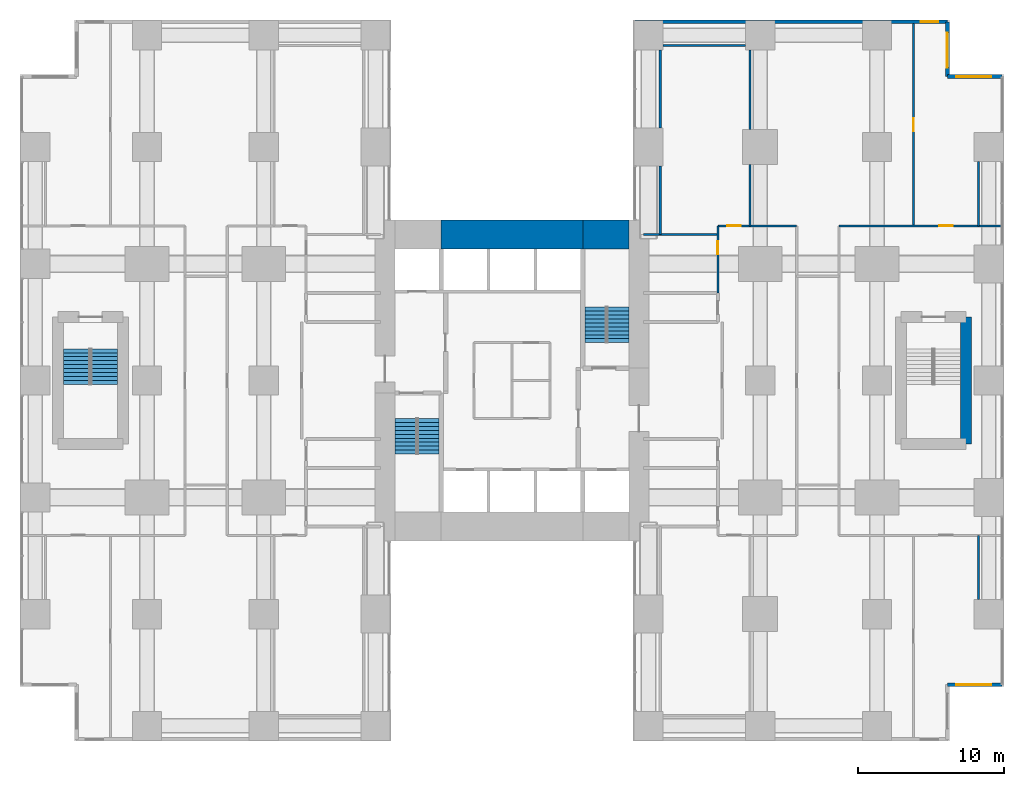
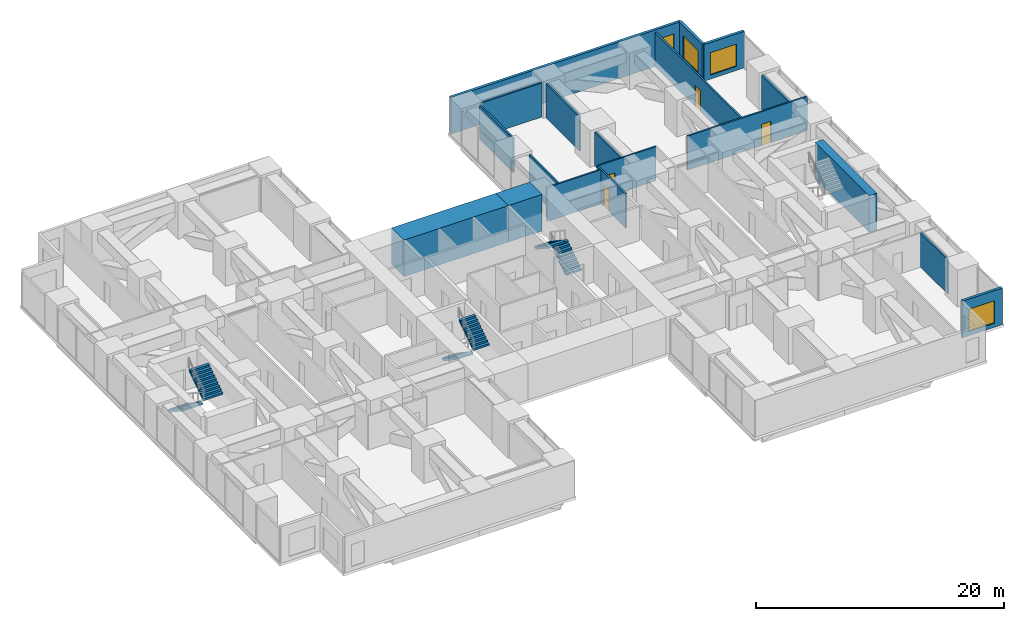
# One storey, part 13 of 15: 19 walls, 6 stair flights, 4 doors, 4 windows, 8 openings, 3 elements without a shape of their own.
"""IFC4 building model written with IfcOpenShell, lengths in metres."""

from ifc_helpers import new_model, si_unit, direction, frame, frame_2d, origin, place, context, subcontext, project, spatial, polyline, rectangle, outline, extrude, material, layer, layer_set, type_object, element, fill, aggregate, save


model = new_model("IFC4")

# Units and contexts
model_context = context("Model", 3, precision=1e-05, world=origin(), true_north=direction((0.0, 1.0)))
body_context = subcontext(model_context, "Body", "Model", "MODEL_VIEW")
ifc_project = project(units=[si_unit("LENGTHUNIT", "METRE"), si_unit("AREAUNIT", "SQUARE_METRE"), si_unit("VOLUMEUNIT", "CUBIC_METRE"), si_unit("PLANEANGLEUNIT", "RADIAN"), si_unit("MASSUNIT", "GRAM", prefix="KILO")], contexts=[model_context])

# Site, building, storey
site_placement = place(None, origin())
site = spatial("IfcSite", under=ifc_project, at=site_placement, CompositionType="ELEMENT")
building_placement = place(site_placement, origin())
building = spatial("IfcBuilding", under=site, at=building_placement, Name="Cleftline Residences", CompositionType="ELEMENT")
storey_placement = place(building_placement, frame((0.0, 0.0, 132.199951171875)))
storey = spatial("IfcBuildingStorey", under=building, at=storey_placement, Name="L34", CompositionType="ELEMENT", Elevation=132.199951171875)

# Walls
ifc_material_1 = material(Name="Concrete B70", Category="concrete")
ifc_layer_1 = layer(ifc_material_1, 2.0)
ifc_layer_set_1 = layer_set([ifc_layer_1], Name="CORE WALL 2000")
wall_type_1 = type_object("IfcWallType", Name="CORE WALL 2000", PredefinedType="SHEAR", material=ifc_layer_set_1)
wall_1_placement = place(storey_placement, frame((28.14990234375, 34.0, 0.0), z_axis=(0.0, 0.0, 1.0), x_axis=(1.0, 0.0, 0.0)))
element("IfcWall", 1, at=wall_1_placement, inside=storey, type_object=wall_type_1, Name="Core wall N2", PredefinedType="SHEAR", context=body_context, shape_type="SweptSolid", body=[
    extrude(rectangle(XDim=9.7001953125, YDim=2.0, at=frame_2d((4.85009765625, 0.0))), origin(), (0.0, 0.0, 1.0), 3.60009765625),
])
wall_2_placement = place(storey_placement, frame((37.85009765625, 34.0, 0.0), z_axis=(0.0, 0.0, 1.0), x_axis=(1.0, 0.0, 0.0)))
element("IfcWall", 2, at=wall_2_placement, inside=storey, type_object=wall_type_1, Name="Core wall N3", PredefinedType="SHEAR", context=body_context, shape_type="SweptSolid", body=[
    extrude(rectangle(XDim=3.14990234375, YDim=2.0, at=frame_2d((1.574951171875, 0.0))), origin(), (0.0, 0.0, 1.0), 3.60009765625),
])

# Wall, opening, window
ifc_material_2 = material(Name="Rendered reinforced concrete blockwork", Category="masonry")
ifc_layer_2 = layer(ifc_material_2, 0.25)
ifc_layer_set_2 = layer_set([ifc_layer_2], Name="EXTERNAL WALL 250")
wall_type_2 = type_object("IfcWallType", Name="EXTERNAL WALL 250", PredefinedType="SOLIDWALL", material=ifc_layer_set_2)
wall_3_placement = place(storey_placement, frame((62.824951171875, 3.175048828125, 0.0), z_axis=(0.0, 0.0, 1.0), x_axis=(1.0, 0.0, 0.0)))
wall_3 = element("IfcWall", 3, at=wall_3_placement, inside=storey, type_object=wall_type_2, Name="External wall", PredefinedType="SOLIDWALL", context=body_context, shape_type="SweptSolid", body=[
    extrude(rectangle(XDim=3.75, YDim=0.25, at=frame_2d((1.875, 0.0))), origin(), (0.0, 0.0, 1.0), 3.60009765625),
])
opening_1_placement = place(wall_3_placement, frame((0.612548828125, 0.0, 0.39990234375)))
opening_1 = element("IfcOpeningElement", 4, at=opening_1_placement, cuts=wall_3, Name="Opening W12", PredefinedType="OPENING", context=body_context, shape_type="SweptSolid", body=[
    extrude(rectangle(XDim=2.39990234375, YDim=2.199951171875, at=frame_2d((1.199951171875, 1.10009765625))), frame((0.0, 0.135009765625, 0.0), z_axis=(0.0, -1.0, 0.0), x_axis=(1.0, 0.0, 0.0)), (0.0, 0.0, 1.0), 0.27001953125),
])
ifc_material_3 = material(Name="Aluminium frame, clear double glazing", Category="aluminium")
window_type_1 = type_object("IfcWindowType", Name="WINDOW 2400X2200", PartitioningType="DOUBLE_PANEL_VERTICAL", PredefinedType="WINDOW", material=ifc_material_3)
window_1_placement = place(opening_1_placement, origin())
window_1 = element("IfcWindow", 5, at=window_1_placement, inside=storey, type_object=window_type_1, Name="Window", OverallHeight=2.199951171875, OverallWidth=2.39990234375, PartitioningType="SINGLE_PANEL", PredefinedType="WINDOW", context=body_context, shape_type="SweptSolid", body=[
    extrude(rectangle(XDim=2.39990234375, YDim=2.199951171875, at=frame_2d((1.199951171875, 1.10009765625))), frame((0.0, 0.030029296875, 0.0), z_axis=(0.0, -1.0, 0.0), x_axis=(1.0, 0.0, 0.0)), (0.0, 0.0, 1.0), 0.06005859375),
])
fill(opening_1, window_1)

wall_4_placement = place(storey_placement, frame((66.574951171875, 44.824951171875, 0.0), z_axis=(0.0, 0.0, 1.0), x_axis=(-1.0, 0.0, 0.0)))
wall_4 = element("IfcWall", 6, at=wall_4_placement, inside=storey, type_object=wall_type_2, Name="External wall", PredefinedType="SOLIDWALL", context=body_context, shape_type="SweptSolid", body=[
    extrude(rectangle(XDim=3.75, YDim=0.25, at=frame_2d((1.875, 0.0))), origin(), (0.0, 0.0, 1.0), 3.60009765625),
])
opening_2_placement = place(wall_4_placement, frame((0.737548828125, 0.0, 0.39990234375)))
opening_2 = element("IfcOpeningElement", 7, at=opening_2_placement, cuts=wall_4, Name="Opening W12", PredefinedType="OPENING", context=body_context, shape_type="SweptSolid", body=[
    extrude(rectangle(XDim=2.39990234375, YDim=2.199951171875, at=frame_2d((1.199951171875, 1.10009765625))), frame((0.0, 0.135009765625, 0.0), z_axis=(0.0, -1.0, 0.0), x_axis=(1.0, 0.0, 0.0)), (0.0, 0.0, 1.0), 0.27001953125),
])
window_2_placement = place(opening_2_placement, origin())
window_2 = element("IfcWindow", 8, at=window_2_placement, inside=storey, type_object=window_type_1, Name="Window", OverallHeight=2.199951171875, OverallWidth=2.39990234375, PartitioningType="SINGLE_PANEL", PredefinedType="WINDOW", context=body_context, shape_type="SweptSolid", body=[
    extrude(rectangle(XDim=2.39990234375, YDim=2.199951171875, at=frame_2d((1.199951171875, 1.10009765625))), frame((0.0, 0.030029296875, 0.0), z_axis=(0.0, -1.0, 0.0), x_axis=(1.0, 0.0, 0.0)), (0.0, 0.0, 1.0), 0.06005859375),
])
fill(opening_2, window_2)

wall_5_placement = place(storey_placement, frame((62.824951171875, 44.824951171875, 0.0), z_axis=(0.0, 0.0, 1.0), x_axis=(0.0, 1.0, 0.0)))
wall_5 = element("IfcWall", 9, at=wall_5_placement, inside=storey, type_object=wall_type_2, Name="External wall", PredefinedType="SOLIDWALL", context=body_context, shape_type="SweptSolid", body=[
    extrude(rectangle(XDim=3.75, YDim=0.25, at=frame_2d((1.875, 0.0))), origin(), (0.0, 0.0, 1.0), 3.60009765625),
])
opening_3_placement = place(wall_5_placement, frame((0.612548828125, 0.0, 0.39990234375)))
opening_3 = element("IfcOpeningElement", 10, at=opening_3_placement, cuts=wall_5, Name="Opening W12", PredefinedType="OPENING", context=body_context, shape_type="SweptSolid", body=[
    extrude(rectangle(XDim=2.39990234375, YDim=2.199951171875, at=frame_2d((1.199951171875, 1.10009765625))), frame((0.0, 0.135009765625, 0.0), z_axis=(0.0, -1.0, 0.0), x_axis=(1.0, 0.0, 0.0)), (0.0, 0.0, 1.0), 0.27001953125),
])
window_3_placement = place(opening_3_placement, origin())
window_3 = element("IfcWindow", 11, at=window_3_placement, inside=storey, type_object=window_type_1, Name="Window", OverallHeight=2.199951171875, OverallWidth=2.39990234375, PartitioningType="SINGLE_PANEL", PredefinedType="WINDOW", context=body_context, shape_type="SweptSolid", body=[
    extrude(rectangle(XDim=2.39990234375, YDim=2.199951171875, at=frame_2d((1.199951171875, 1.10009765625))), frame((0.0, 0.030029296875, 0.0), z_axis=(0.0, -1.0, 0.0), x_axis=(1.0, 0.0, 0.0)), (0.0, 0.0, 1.0), 0.06005859375),
])
fill(opening_3, window_3)

wall_6_placement = place(storey_placement, frame((62.824951171875, 48.574951171875, 0.0), z_axis=(0.0, 0.0, 1.0), x_axis=(-1.0, 0.0, 0.0)))
wall_6 = element("IfcWall", 12, at=wall_6_placement, inside=storey, type_object=wall_type_2, Name="External wall", PredefinedType="SOLIDWALL", context=body_context, shape_type="SweptSolid", body=[
    extrude(rectangle(XDim=21.39990234375, YDim=0.25, at=frame_2d((10.699951171875, 0.0))), origin(), (0.0, 0.0, 1.0), 3.60009765625),
])
opening_4_placement = place(wall_6_placement, frame((0.625, 0.0, 0.39990234375)))
opening_4 = element("IfcOpeningElement", 13, at=opening_4_placement, cuts=wall_6, Name="Opening W11", PredefinedType="OPENING", context=body_context, shape_type="SweptSolid", body=[
    extrude(rectangle(XDim=1.199951171875, YDim=2.199951171875, at=frame_2d((0.60009765625, 1.10009765625))), frame((0.0, 0.135009765625, 0.0), z_axis=(0.0, -1.0, 0.0), x_axis=(1.0, 0.0, 0.0)), (0.0, 0.0, 1.0), 0.27001953125),
])
ifc_material_4 = material(Name="Aluminium frame, clear double glazing", Category="aluminium")
window_type_2 = type_object("IfcWindowType", Name="WINDOW 1200X2200", PartitioningType="DOUBLE_PANEL_VERTICAL", PredefinedType="WINDOW", material=ifc_material_4)
window_4_placement = place(opening_4_placement, origin())
window_4 = element("IfcWindow", 14, at=window_4_placement, inside=storey, type_object=window_type_2, Name="Window", OverallHeight=2.199951171875, OverallWidth=1.199951171875, PartitioningType="SINGLE_PANEL", PredefinedType="WINDOW", context=body_context, shape_type="SweptSolid", body=[
    extrude(rectangle(XDim=1.199951171875, YDim=2.199951171875, at=frame_2d((0.60009765625, 1.10009765625))), frame((0.0, 0.030029296875, 0.0), z_axis=(0.0, -1.0, 0.0), x_axis=(1.0, 0.0, 0.0)), (0.0, 0.0, 1.0), 0.06005859375),
])
fill(opening_4, window_4)

# Wall
ifc_material_5 = material(Name="Gypsum board on steel studs", Category="steel")
ifc_layer_3 = layer(ifc_material_5, 0.14990234375)
ifc_layer_set_3 = layer_set([ifc_layer_3], Name="PARTITION 150")
wall_type_3 = type_object("IfcWallType", Name="PARTITION 150", PredefinedType="PARTITIONING", material=ifc_layer_set_3)
wall_7_placement = place(storey_placement, frame((42.0, 34.0, 0.0), z_axis=(0.0, 0.0, 1.0), x_axis=(1.0, 0.0, 0.0)))
element("IfcWall", 15, at=wall_7_placement, inside=storey, type_object=wall_type_3, Name="Partition", PredefinedType="PARTITIONING", context=body_context, shape_type="SweptSolid", body=[
    extrude(rectangle(XDim=5.10009765625, YDim=0.14990234375, at=frame_2d((2.550048828125, 0.0))), origin(), (0.0, 0.0, 1.0), 3.35009765625),
])

# Wall, opening, door
wall_8_placement = place(storey_placement, frame((47.10009765625, 34.60009765625, 0.0), z_axis=(0.0, 0.0, 1.0), x_axis=(1.0, 0.0, 0.0)))
wall_8 = element("IfcWall", 16, at=wall_8_placement, inside=storey, type_object=wall_type_3, Name="Partition", PredefinedType="PARTITIONING", context=body_context, shape_type="SweptSolid", body=[
    extrude(rectangle(XDim=5.39990234375, YDim=0.14990234375, at=frame_2d((2.699951171875, 0.0))), origin(), (0.0, 0.0, 1.0), 3.35009765625),
])
opening_5_placement = place(wall_8_placement, frame((0.659912109375, 0.0, 0.0)))
opening_5 = element("IfcOpeningElement", 17, at=opening_5_placement, cuts=wall_8, Name="Opening D1", PredefinedType="OPENING", context=body_context, shape_type="SweptSolid", body=[
    extrude(rectangle(XDim=0.89990234375, YDim=2.10009765625, at=frame_2d((0.449951171875, 1.050048828125))), frame((0.0, 0.0849609375, 0.0), z_axis=(0.0, -1.0, 0.0), x_axis=(1.0, 0.0, 0.0)), (0.0, 0.0, 1.0), 0.169921875),
])
ifc_material_6 = material(Name="Timber veneer on solid core", Category="wood")
door_type = type_object("IfcDoorType", Name="DOOR 900X2100", OperationType="SINGLE_SWING_LEFT", PredefinedType="DOOR", material=ifc_material_6)
door_1_placement = place(opening_5_placement, origin())
door_1 = element("IfcDoor", 18, at=door_1_placement, inside=storey, type_object=door_type, Name="Door to chess room", OperationType="SINGLE_SWING_RIGHT", OverallHeight=2.10009765625, OverallWidth=0.89990234375, PredefinedType="DOOR", context=body_context, shape_type="SweptSolid", body=[
    extrude(rectangle(XDim=0.89990234375, YDim=2.10009765625, at=frame_2d((0.449951171875, 1.050048828125))), frame((0.0, 0.02490234375, 0.0), z_axis=(0.0, -1.0, 0.0), x_axis=(1.0, 0.0, 0.0)), (0.0, 0.0, 1.0), 0.050048828125),
])
fill(opening_5, door_1)

wall_9_placement = place(storey_placement, frame((55.39990234375, 34.60009765625, 0.0), z_axis=(0.0, 0.0, 1.0), x_axis=(1.0, 0.0, 0.0)))
wall_9 = element("IfcWall", 19, at=wall_9_placement, inside=storey, type_object=wall_type_3, Name="Partition", PredefinedType="PARTITIONING", context=body_context, shape_type="SweptSolid", body=[
    extrude(rectangle(XDim=11.1611328125, YDim=0.14990234375, at=frame_2d((5.58056640625, 0.0))), origin(), (0.0, 0.0, 1.0), 3.35009765625),
])
opening_6_placement = place(wall_9_placement, frame((6.8798828125, 0.0, 0.0)))
opening_6 = element("IfcOpeningElement", 20, at=opening_6_placement, cuts=wall_9, Name="Opening D1", PredefinedType="OPENING", context=body_context, shape_type="SweptSolid", body=[
    extrude(rectangle(XDim=0.89990234375, YDim=2.10009765625, at=frame_2d((0.449951171875, 1.050048828125))), frame((0.0, 0.0849609375, 0.0), z_axis=(0.0, -1.0, 0.0), x_axis=(1.0, 0.0, 0.0)), (0.0, 0.0, 1.0), 0.169921875),
])
door_2_placement = place(opening_6_placement, origin())
door_2 = element("IfcDoor", 21, at=door_2_placement, inside=storey, type_object=door_type, Name="Door to cinema room", OperationType="SINGLE_SWING_LEFT", OverallHeight=2.10009765625, OverallWidth=0.89990234375, PredefinedType="DOOR", context=body_context, shape_type="SweptSolid", body=[
    extrude(rectangle(XDim=0.89990234375, YDim=2.10009765625, at=frame_2d((0.449951171875, 1.050048828125))), frame((0.0, 0.02490234375, 0.0), z_axis=(0.0, -1.0, 0.0), x_axis=(1.0, 0.0, 0.0)), (0.0, 0.0, 1.0), 0.050048828125),
])
fill(opening_6, door_2)

# Walls
wall_10_placement = place(storey_placement, frame((43.35009765625, 46.949951171875, 0.0), z_axis=(0.0, 0.0, 1.0), x_axis=(1.0, 0.0, 0.0)))
element("IfcWall", 22, at=wall_10_placement, inside=storey, type_object=wall_type_3, Name="Partition", PredefinedType="PARTITIONING", context=body_context, shape_type="SweptSolid", body=[
    extrude(rectangle(XDim=5.64990234375, YDim=0.14990234375, at=frame_2d((2.824951171875, 0.0))), origin(), (0.0, 0.0, 1.0), 3.35009765625),
])
wall_11_placement = place(storey_placement, frame((43.14990234375, 34.0, 0.0), z_axis=(0.0, 0.0, 1.0), x_axis=(0.0, 1.0, 0.0)))
element("IfcWall", 23, at=wall_11_placement, inside=storey, type_object=wall_type_3, Name="Partition", PredefinedType="PARTITIONING", context=body_context, shape_type="SweptSolid", body=[
    extrude(rectangle(XDim=4.699951171875, YDim=0.14990234375, at=frame_2d((2.35009765625, 0.0))), origin(), (0.0, 0.0, 1.0), 3.35009765625),
])
wall_12_placement = place(storey_placement, frame((43.14990234375, 41.300048828125, 0.0), z_axis=(0.0, 0.0, 1.0), x_axis=(0.0, 1.0, 0.0)))
element("IfcWall", 24, at=wall_12_placement, inside=storey, type_object=wall_type_3, Name="Partition", PredefinedType="PARTITIONING", context=body_context, shape_type="SweptSolid", body=[
    extrude(rectangle(XDim=5.349853515625, YDim=0.14990234375, at=frame_2d((2.6748046875, 0.0))), origin(), (0.0, 0.0, 1.0), 3.35009765625),
])

# Wall, opening, door
wall_13_placement = place(storey_placement, frame((47.10009765625, 30.0, 0.0), z_axis=(0.0, 0.0, 1.0), x_axis=(0.0, 1.0, 0.0)))
wall_13 = element("IfcWall", 25, at=wall_13_placement, inside=storey, type_object=wall_type_3, Name="Partition", PredefinedType="PARTITIONING", context=body_context, shape_type="SweptSolid", body=[
    extrude(rectangle(XDim=4.60009765625, YDim=0.14990234375, at=frame_2d((2.300048828125, 0.0))), origin(), (0.0, 0.0, 1.0), 3.35009765625),
])
opening_7_placement = place(wall_13_placement, frame((2.639892578125, 0.0, 0.0)))
opening_7 = element("IfcOpeningElement", 26, at=opening_7_placement, cuts=wall_13, Name="Opening D1", PredefinedType="OPENING", context=body_context, shape_type="SweptSolid", body=[
    extrude(rectangle(XDim=0.89990234375, YDim=2.10009765625, at=frame_2d((0.449951171875, 1.050048828125))), frame((0.0, 0.0849609375, 0.0), z_axis=(0.0, -1.0, 0.0), x_axis=(1.0, 0.0, 0.0)), (0.0, 0.0, 1.0), 0.169921875),
])
door_3_placement = place(opening_7_placement, origin())
door_3 = element("IfcDoor", 27, at=door_3_placement, inside=storey, type_object=door_type, Name="Door to cleaner's store", OperationType="SINGLE_SWING_LEFT", OverallHeight=2.10009765625, OverallWidth=0.89990234375, PredefinedType="DOOR", context=body_context, shape_type="SweptSolid", body=[
    extrude(rectangle(XDim=0.89990234375, YDim=2.10009765625, at=frame_2d((0.449951171875, 1.050048828125))), frame((0.0, 0.02490234375, 0.0), z_axis=(0.0, -1.0, 0.0), x_axis=(1.0, 0.0, 0.0)), (0.0, 0.0, 1.0), 0.050048828125),
])
fill(opening_7, door_3)

# Walls
wall_14_placement = place(storey_placement, frame((49.300048828125, 34.60009765625, 0.0), z_axis=(0.0, 0.0, 1.0), x_axis=(0.0, 1.0, 0.0)))
element("IfcWall", 28, at=wall_14_placement, inside=storey, type_object=wall_type_3, Name="Partition", PredefinedType="PARTITIONING", context=body_context, shape_type="SweptSolid", body=[
    extrude(rectangle(XDim=4.199951171875, YDim=0.14990234375, at=frame_2d((2.10009765625, 0.0))), origin(), (0.0, 0.0, 1.0), 3.35009765625),
])
wall_15_placement = place(storey_placement, frame((49.300048828125, 41.199951171875, 0.0), z_axis=(0.0, 0.0, 1.0), x_axis=(0.0, 1.0, 0.0)))
element("IfcWall", 29, at=wall_15_placement, inside=storey, type_object=wall_type_3, Name="Partition", PredefinedType="PARTITIONING", context=body_context, shape_type="SweptSolid", body=[
    extrude(rectangle(XDim=5.449951171875, YDim=0.14990234375, at=frame_2d((2.72509765625, 0.0))), origin(), (0.0, 0.0, 1.0), 3.35009765625),
])

# Wall, opening, door
wall_16_placement = place(storey_placement, frame((60.5, 34.60009765625, 0.0), z_axis=(0.0, 0.0, 1.0), x_axis=(0.0, 1.0, 0.0)))
wall_16 = element("IfcWall", 30, at=wall_16_placement, inside=storey, type_object=wall_type_3, Name="Partition", PredefinedType="PARTITIONING", context=body_context, shape_type="SweptSolid", body=[
    extrude(rectangle(XDim=13.849853515625, YDim=0.14990234375, at=frame_2d((6.9248046875, 0.0))), origin(), (0.0, 0.0, 1.0), 3.35009765625),
])
opening_8_placement = place(wall_16_placement, frame((6.47998046875, 0.0, 0.0)))
opening_8 = element("IfcOpeningElement", 31, at=opening_8_placement, cuts=wall_16, Name="Opening D1", PredefinedType="OPENING", context=body_context, shape_type="SweptSolid", body=[
    extrude(rectangle(XDim=0.89990234375, YDim=2.10009765625, at=frame_2d((0.449951171875, 1.050048828125))), frame((0.0, 0.0849609375, 0.0), z_axis=(0.0, -1.0, 0.0), x_axis=(1.0, 0.0, 0.0)), (0.0, 0.0, 1.0), 0.169921875),
])
door_4_placement = place(opening_8_placement, origin())
door_4 = element("IfcDoor", 32, at=door_4_placement, inside=storey, type_object=door_type, Name="Door to residents' locker room", OperationType="SINGLE_SWING_LEFT", OverallHeight=2.10009765625, OverallWidth=0.89990234375, PredefinedType="DOOR", context=body_context, shape_type="SweptSolid", body=[
    extrude(rectangle(XDim=0.89990234375, YDim=2.10009765625, at=frame_2d((0.449951171875, 1.050048828125))), frame((0.0, 0.02490234375, 0.0), z_axis=(0.0, -1.0, 0.0), x_axis=(1.0, 0.0, 0.0)), (0.0, 0.0, 1.0), 0.050048828125),
])
fill(opening_8, door_4)

# Walls
for number, where, z_axis, x_axis, name in (
    (33, (64.949951171875, 9.0, 0.0), (0.0, 0.0, 1.0), (0.0, 1.0, 0.0), "Partition"),
    (34, (64.949951171875, 34.60009765625, 0.0), (0.0, 0.0, 1.0), (0.0, 1.0, 0.0), "Partition"),
):
    element("IfcWall", number, at=place(storey_placement, frame(where, z_axis=z_axis, x_axis=x_axis)), inside=storey, type_object=wall_type_3, Name=name, PredefinedType="PARTITIONING", context=body_context, shape_type="SweptSolid", body=[
        extrude(rectangle(XDim=4.39990234375, YDim=0.14990234375, at=frame_2d((2.199951171875, 0.0))), origin(), (0.0, 0.0, 1.0), 3.35009765625),
    ])
ifc_material_7 = material(Name="Concrete B70", Category="concrete")
ifc_layer_4 = layer(ifc_material_7, 0.75)
ifc_layer_set_4 = layer_set([ifc_layer_4], Name="SHEAR WALL 750")
wall_type_4 = type_object("IfcWallType", Name="SHEAR WALL 750", PredefinedType="SHEAR", material=ifc_layer_set_4)
wall_17_placement = place(storey_placement, frame((64.10009765625, 19.64990234375, 0.0), z_axis=(0.0, 0.0, 1.0), x_axis=(0.0, 1.0, 0.0)))
element("IfcWall", 35, at=wall_17_placement, inside=storey, type_object=wall_type_4, Name="Wing shear wall", PredefinedType="SHEAR", context=body_context, shape_type="SweptSolid", body=[
    extrude(rectangle(XDim=8.7001953125, YDim=0.75, at=frame_2d((4.35009765625, 0.0))), origin(), (0.0, 0.0, 1.0), 3.60009765625),
])

# Stair, stair flights
ifc_material_8 = material(Name="Concrete B45, stone treads", Category="masonry")
stair_type_1 = type_object("IfcStairType", Name="STAIR A 1450 WIDE 180 RISER", PredefinedType="HALF_TURN_STAIR", material=ifc_material_8)
stair_1_placement = place(storey_placement, origin())
stair_1 = element("IfcStair", 36, at=stair_1_placement, inside=storey, type_object=stair_type_1, Name="Stair A L34", PredefinedType="HALF_TURN_STAIR")
ifc_material_9 = material(Name="Concrete B45", Category="concrete")
stair_flight_type_1 = type_object("IfcStairFlightType", Name="STAIR A FLIGHT 1450X180", PredefinedType="STRAIGHT", material=ifc_material_9)
stair_flight_1_placement = place(storey_placement, frame((25.72509765625, 21.39990234375, 0.0), z_axis=(0.0, 0.0, 1.0), x_axis=(0.0, -1.0, 0.0)))
stair_flight_1 = element("IfcStairFlight", 37, at=stair_flight_1_placement, type_object=stair_flight_type_1, Name="ST-A flight 1", NumberOfRisers=10, NumberOfTreads=9, PredefinedType="STRAIGHT", RiserHeight=0.18, TreadLength=0.27, context=body_context, shape_type="SweptSolid", body=[
    extrude(outline(polyline([(0.0, 0.0), (0.0, 0.013916015625), (0.0, 0.027587890625), (0.0, 0.04150390625), (0.0, 0.055419921875), (0.0, 0.0693359375), (0.0, 0.0830078125), (0.0, 0.096923828125), (0.0, 0.11083984375), (0.0, 0.12451171875), (0.0, 0.138427734375), (0.0, 0.15234375), (0.0, 0.166259765625), (0.0, 0.179931640625), (0.27001953125, 0.179931640625), (0.27001953125, 0.360107421875), (0.5400390625, 0.360107421875), (0.5400390625, 0.5400390625), (0.81005859375, 0.5400390625), (0.81005859375, 0.719970703125), (1.080078125, 0.719970703125), (1.080078125, 0.89990234375), (1.35009765625, 0.89990234375), (1.35009765625, 1.080078125), (1.6201171875, 1.080078125), (1.6201171875, 1.260009765625), (1.889892578125, 1.260009765625), (1.889892578125, 1.43994140625), (2.159912109375, 1.43994140625), (2.159912109375, 1.6201171875), (2.429931640625, 1.6201171875), (2.429931640625, 1.800048828125), (2.429931640625, 1.772216796875), (2.429931640625, 1.74462890625), (2.429931640625, 1.716796875), (2.429931640625, 1.689208984375), (2.429931640625, 1.661376953125), (2.429931640625, 1.6337890625), (2.429931640625, 1.60595703125), (2.429931640625, 1.578369140625), (2.429931640625, 1.550537109375), (2.429931640625, 1.52294921875), (2.429931640625, 1.495361328125), (2.429931640625, 1.467529296875), (2.429931640625, 1.43994140625), (0.270263671875, 0.0), (0.0, 0.0)])), frame((0.0, 0.72509765625, 0.0), z_axis=(0.0, -1.0, 0.0), x_axis=(1.0, 0.0, 0.0)), (0.0, 0.0, 1.0), 1.449951171875),
])
stair_flight_2_placement = place(storey_placement, frame((27.27490234375, 18.969970703125, 1.800048828125), z_axis=(0.0, 0.0, 1.0), x_axis=(0.0, 1.0, 0.0)))
stair_flight_2 = element("IfcStairFlight", 38, at=stair_flight_2_placement, type_object=stair_flight_type_1, Name="ST-A flight 2", NumberOfRisers=10, NumberOfTreads=9, PredefinedType="STRAIGHT", RiserHeight=0.18, TreadLength=0.27, context=body_context, shape_type="SweptSolid", body=[
    extrude(outline(polyline([(0.0, 0.0), (0.0, 0.013916015625), (0.0, 0.027587890625), (0.0, 0.04150390625), (0.0, 0.055419921875), (0.0, 0.0693359375), (0.0, 0.0830078125), (0.0, 0.096923828125), (0.0, 0.11083984375), (0.0, 0.12451171875), (0.0, 0.138427734375), (0.0, 0.15234375), (0.0, 0.166259765625), (0.0, 0.179931640625), (0.27001953125, 0.179931640625), (0.27001953125, 0.360107421875), (0.5400390625, 0.360107421875), (0.5400390625, 0.5400390625), (0.81005859375, 0.5400390625), (0.81005859375, 0.719970703125), (1.080078125, 0.719970703125), (1.080078125, 0.89990234375), (1.35009765625, 0.89990234375), (1.35009765625, 1.080078125), (1.6201171875, 1.080078125), (1.6201171875, 1.260009765625), (1.889892578125, 1.260009765625), (1.889892578125, 1.43994140625), (2.159912109375, 1.43994140625), (2.159912109375, 1.6201171875), (2.429931640625, 1.6201171875), (2.429931640625, 1.800048828125), (2.429931640625, 1.772216796875), (2.429931640625, 1.74462890625), (2.429931640625, 1.716796875), (2.429931640625, 1.689208984375), (2.429931640625, 1.661376953125), (2.429931640625, 1.6337890625), (2.429931640625, 1.60595703125), (2.429931640625, 1.578369140625), (2.429931640625, 1.550537109375), (2.429931640625, 1.52294921875), (2.429931640625, 1.495361328125), (2.429931640625, 1.467529296875), (2.429931640625, 1.43994140625), (0.270263671875, 0.0), (0.0, 0.0)])), frame((0.0, 0.72509765625, 0.0), z_axis=(0.0, -1.0, 0.0), x_axis=(1.0, 0.0, 0.0)), (0.0, 0.0, 1.0), 1.449951171875),
])
aggregate(stair_1, [stair_flight_1, stair_flight_2])

ifc_material_10 = material(Name="Concrete B45, stone treads", Category="masonry")
stair_type_2 = type_object("IfcStairType", Name="STAIR B 1450 WIDE 180 RISER", PredefinedType="HALF_TURN_STAIR", material=ifc_material_10)
stair_2_placement = place(storey_placement, origin())
stair_2 = element("IfcStair", 39, at=stair_2_placement, inside=storey, type_object=stair_type_2, Name="Stair B L34", PredefinedType="HALF_TURN_STAIR")
ifc_material_11 = material(Name="Concrete B45", Category="concrete")
stair_flight_type_2 = type_object("IfcStairFlightType", Name="STAIR B FLIGHT 1450X180", PredefinedType="STRAIGHT", material=ifc_material_11)
stair_flight_3_placement = place(storey_placement, frame((40.27490234375, 26.60009765625, 0.0), z_axis=(0.0, 0.0, 1.0), x_axis=(0.0, 1.0, 0.0)))
stair_flight_3 = element("IfcStairFlight", 40, at=stair_flight_3_placement, type_object=stair_flight_type_2, Name="ST-B flight 1", NumberOfRisers=10, NumberOfTreads=9, PredefinedType="STRAIGHT", RiserHeight=0.18, TreadLength=0.27, context=body_context, shape_type="SweptSolid", body=[
    extrude(outline(polyline([(0.0, 0.0), (0.0, 0.013916015625), (0.0, 0.027587890625), (0.0, 0.04150390625), (0.0, 0.055419921875), (0.0, 0.0693359375), (0.0, 0.0830078125), (0.0, 0.096923828125), (0.0, 0.11083984375), (0.0, 0.12451171875), (0.0, 0.138427734375), (0.0, 0.15234375), (0.0, 0.166259765625), (0.0, 0.179931640625), (0.27001953125, 0.179931640625), (0.27001953125, 0.360107421875), (0.5400390625, 0.360107421875), (0.5400390625, 0.5400390625), (0.81005859375, 0.5400390625), (0.81005859375, 0.719970703125), (1.080078125, 0.719970703125), (1.080078125, 0.89990234375), (1.35009765625, 0.89990234375), (1.35009765625, 1.080078125), (1.6201171875, 1.080078125), (1.6201171875, 1.260009765625), (1.889892578125, 1.260009765625), (1.889892578125, 1.43994140625), (2.159912109375, 1.43994140625), (2.159912109375, 1.6201171875), (2.429931640625, 1.6201171875), (2.429931640625, 1.800048828125), (2.429931640625, 1.772216796875), (2.429931640625, 1.74462890625), (2.429931640625, 1.716796875), (2.429931640625, 1.689208984375), (2.429931640625, 1.661376953125), (2.429931640625, 1.6337890625), (2.429931640625, 1.60595703125), (2.429931640625, 1.578369140625), (2.429931640625, 1.550537109375), (2.429931640625, 1.52294921875), (2.429931640625, 1.495361328125), (2.429931640625, 1.467529296875), (2.429931640625, 1.43994140625), (0.270263671875, 0.0), (0.0, 0.0)])), frame((0.0, 0.72509765625, 0.0), z_axis=(0.0, -1.0, 0.0), x_axis=(1.0, 0.0, 0.0)), (0.0, 0.0, 1.0), 1.449951171875),
])
stair_flight_4_placement = place(storey_placement, frame((38.72509765625, 29.030029296875, 1.800048828125), z_axis=(0.0, 0.0, 1.0), x_axis=(0.0, -1.0, 0.0)))
stair_flight_4 = element("IfcStairFlight", 41, at=stair_flight_4_placement, type_object=stair_flight_type_2, Name="ST-B flight 2", NumberOfRisers=10, NumberOfTreads=9, PredefinedType="STRAIGHT", RiserHeight=0.18, TreadLength=0.27, context=body_context, shape_type="SweptSolid", body=[
    extrude(outline(polyline([(0.0, 0.0), (0.0, 0.013916015625), (0.0, 0.027587890625), (0.0, 0.04150390625), (0.0, 0.055419921875), (0.0, 0.0693359375), (0.0, 0.0830078125), (0.0, 0.096923828125), (0.0, 0.11083984375), (0.0, 0.12451171875), (0.0, 0.138427734375), (0.0, 0.15234375), (0.0, 0.166259765625), (0.0, 0.179931640625), (0.27001953125, 0.179931640625), (0.27001953125, 0.360107421875), (0.5400390625, 0.360107421875), (0.5400390625, 0.5400390625), (0.81005859375, 0.5400390625), (0.81005859375, 0.719970703125), (1.080078125, 0.719970703125), (1.080078125, 0.89990234375), (1.35009765625, 0.89990234375), (1.35009765625, 1.080078125), (1.6201171875, 1.080078125), (1.6201171875, 1.260009765625), (1.889892578125, 1.260009765625), (1.889892578125, 1.43994140625), (2.159912109375, 1.43994140625), (2.159912109375, 1.6201171875), (2.429931640625, 1.6201171875), (2.429931640625, 1.800048828125), (2.429931640625, 1.772216796875), (2.429931640625, 1.74462890625), (2.429931640625, 1.716796875), (2.429931640625, 1.689208984375), (2.429931640625, 1.661376953125), (2.429931640625, 1.6337890625), (2.429931640625, 1.60595703125), (2.429931640625, 1.578369140625), (2.429931640625, 1.550537109375), (2.429931640625, 1.52294921875), (2.429931640625, 1.495361328125), (2.429931640625, 1.467529296875), (2.429931640625, 1.43994140625), (0.270263671875, 0.0), (0.0, 0.0)])), frame((0.0, 0.72509765625, 0.0), z_axis=(0.0, -1.0, 0.0), x_axis=(1.0, 0.0, 0.0)), (0.0, 0.0, 1.0), 1.449951171875),
])
aggregate(stair_2, [stair_flight_3, stair_flight_4])

ifc_material_12 = material(Name="Concrete B45, stone treads", Category="masonry")
stair_type_3 = type_object("IfcStairType", Name="STAIR W 1800 WIDE 180 RISER", PredefinedType="HALF_TURN_STAIR", material=ifc_material_12)
stair_3_placement = place(storey_placement, origin())
stair_3 = element("IfcStair", 42, at=stair_3_placement, inside=storey, type_object=stair_type_3, Name="Stair W L34", PredefinedType="HALF_TURN_STAIR")
ifc_material_13 = material(Name="Concrete B45", Category="concrete")
stair_flight_type_3 = type_object("IfcStairFlightType", Name="STAIR W FLIGHT 1800X180", PredefinedType="STRAIGHT", material=ifc_material_13)
stair_flight_5_placement = place(storey_placement, frame((3.175048828125, 26.175048828125, 0.0), z_axis=(0.0, 0.0, 1.0), x_axis=(0.0, -1.0, 0.0)))
stair_flight_5 = element("IfcStairFlight", 43, at=stair_flight_5_placement, type_object=stair_flight_type_3, Name="ST-W flight 1", NumberOfRisers=10, NumberOfTreads=9, PredefinedType="STRAIGHT", RiserHeight=0.18, TreadLength=0.27, context=body_context, shape_type="SweptSolid", body=[
    extrude(outline(polyline([(0.0, 0.0), (0.0, 0.013916015625), (0.0, 0.027587890625), (0.0, 0.04150390625), (0.0, 0.055419921875), (0.0, 0.0693359375), (0.0, 0.0830078125), (0.0, 0.096923828125), (0.0, 0.11083984375), (0.0, 0.12451171875), (0.0, 0.138427734375), (0.0, 0.15234375), (0.0, 0.166259765625), (0.0, 0.179931640625), (0.27001953125, 0.179931640625), (0.27001953125, 0.360107421875), (0.5400390625, 0.360107421875), (0.5400390625, 0.5400390625), (0.81005859375, 0.5400390625), (0.81005859375, 0.719970703125), (1.080078125, 0.719970703125), (1.080078125, 0.89990234375), (1.35009765625, 0.89990234375), (1.35009765625, 1.080078125), (1.6201171875, 1.080078125), (1.6201171875, 1.260009765625), (1.889892578125, 1.260009765625), (1.889892578125, 1.43994140625), (2.159912109375, 1.43994140625), (2.159912109375, 1.6201171875), (2.429931640625, 1.6201171875), (2.429931640625, 1.800048828125), (2.429931640625, 1.772216796875), (2.429931640625, 1.74462890625), (2.429931640625, 1.716796875), (2.429931640625, 1.689208984375), (2.429931640625, 1.661376953125), (2.429931640625, 1.6337890625), (2.429931640625, 1.60595703125), (2.429931640625, 1.578369140625), (2.429931640625, 1.550537109375), (2.429931640625, 1.52294921875), (2.429931640625, 1.495361328125), (2.429931640625, 1.467529296875), (2.429931640625, 1.43994140625), (0.270263671875, 0.0), (0.0, 0.0)])), frame((0.0, 0.89990234375, 0.0), z_axis=(0.0, -1.0, 0.0), x_axis=(1.0, 0.0, 0.0)), (0.0, 0.0, 1.0), 1.800048828125),
])
stair_flight_6_placement = place(storey_placement, frame((5.074951171875, 23.7451171875, 1.800048828125), z_axis=(0.0, 0.0, 1.0), x_axis=(0.0, 1.0, 0.0)))
stair_flight_6 = element("IfcStairFlight", 44, at=stair_flight_6_placement, type_object=stair_flight_type_3, Name="ST-W flight 2", NumberOfRisers=10, NumberOfTreads=9, PredefinedType="STRAIGHT", RiserHeight=0.18, TreadLength=0.27, context=body_context, shape_type="SweptSolid", body=[
    extrude(outline(polyline([(0.0, 0.0), (0.0, 0.013916015625), (0.0, 0.027587890625), (0.0, 0.04150390625), (0.0, 0.055419921875), (0.0, 0.0693359375), (0.0, 0.0830078125), (0.0, 0.096923828125), (0.0, 0.11083984375), (0.0, 0.12451171875), (0.0, 0.138427734375), (0.0, 0.15234375), (0.0, 0.166259765625), (0.0, 0.179931640625), (0.27001953125, 0.179931640625), (0.27001953125, 0.360107421875), (0.5400390625, 0.360107421875), (0.5400390625, 0.5400390625), (0.81005859375, 0.5400390625), (0.81005859375, 0.719970703125), (1.080078125, 0.719970703125), (1.080078125, 0.89990234375), (1.35009765625, 0.89990234375), (1.35009765625, 1.080078125), (1.6201171875, 1.080078125), (1.6201171875, 1.260009765625), (1.889892578125, 1.260009765625), (1.889892578125, 1.43994140625), (2.159912109375, 1.43994140625), (2.159912109375, 1.6201171875), (2.429931640625, 1.6201171875), (2.429931640625, 1.800048828125), (2.429931640625, 1.772216796875), (2.429931640625, 1.74462890625), (2.429931640625, 1.716796875), (2.429931640625, 1.689208984375), (2.429931640625, 1.661376953125), (2.429931640625, 1.6337890625), (2.429931640625, 1.60595703125), (2.429931640625, 1.578369140625), (2.429931640625, 1.550537109375), (2.429931640625, 1.52294921875), (2.429931640625, 1.495361328125), (2.429931640625, 1.467529296875), (2.429931640625, 1.43994140625), (0.270263671875, 0.0), (0.0, 0.0)])), frame((0.0, 0.89990234375, 0.0), z_axis=(0.0, -1.0, 0.0), x_axis=(1.0, 0.0, 0.0)), (0.0, 0.0, 1.0), 1.800048828125),
])
aggregate(stair_3, [stair_flight_5, stair_flight_6])

save(model, "model.ifc")
